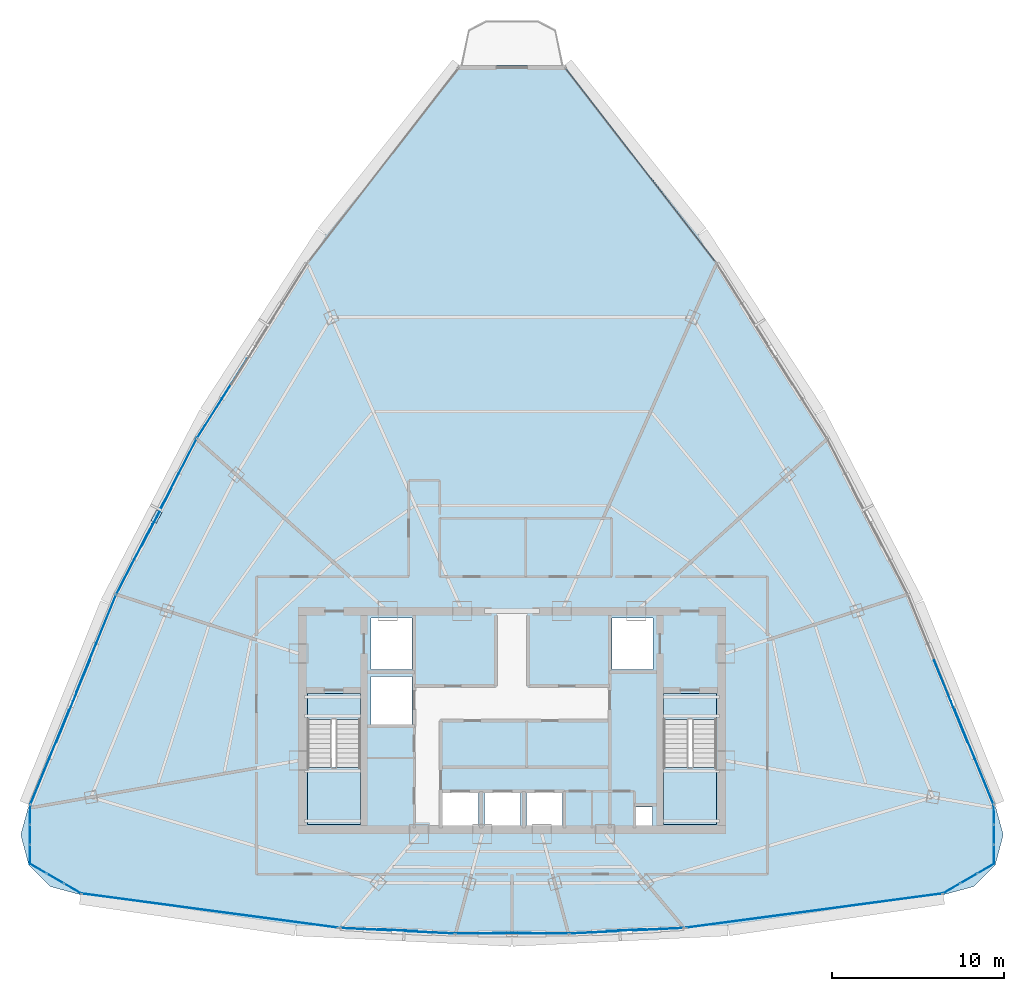
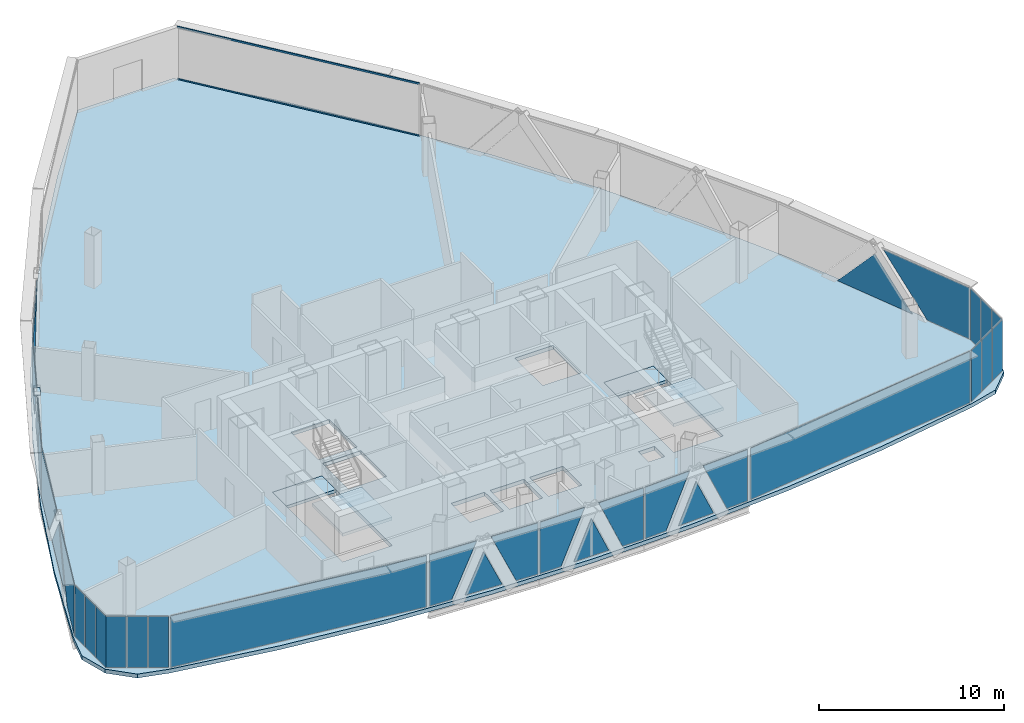
# One storey, part 20 of 26: 33 plates, 5 slabs, 2 members, 16 elements without a shape of their own.
"""IFC4 building model written with IfcOpenShell, lengths in metres."""

from ifc_helpers import new_model, si_unit, direction, frame, origin, origin_2d, place, context, subcontext, project, spatial, polyline, rectangle, hollow_rectangle, outline, extrude, source, transform, mapped, material, layer, layer_set, material_profile, profile_set, type_object, element, aggregate, save


model = new_model("IFC4")

# Units and contexts
model_context = context("Model", 3, precision=1e-05, world=origin(), true_north=direction((0.0, 1.0)))
body_context = subcontext(model_context, "Body", "Model", "MODEL_VIEW")
ifc_project = project(units=[si_unit("LENGTHUNIT", "METRE"), si_unit("AREAUNIT", "SQUARE_METRE"), si_unit("VOLUMEUNIT", "CUBIC_METRE"), si_unit("PLANEANGLEUNIT", "RADIAN"), si_unit("MASSUNIT", "GRAM", prefix="KILO"), si_unit("THERMODYNAMICTEMPERATUREUNIT", "KELVIN"), si_unit("POWERUNIT", "WATT")], contexts=[model_context])

# Site, building, storey
site_placement = place(None, origin())
site = spatial("IfcSite", under=ifc_project, at=site_placement, CompositionType="ELEMENT")
building_placement = place(site_placement, origin())
building = spatial("IfcBuilding", under=site, at=building_placement, Name="Yunzhuo Pagoda Commons", CompositionType="ELEMENT")
storey_placement = place(building_placement, frame((0.0, 0.0, 340.510009765625)))
storey = spatial("IfcBuildingStorey", under=building, at=storey_placement, Name="L85", CompositionType="ELEMENT", Elevation=340.510009765625)

# Curtain wall, members
ifc_material_1 = material(Name="Anodized aluminium 6063-T6", Category="aluminium")
ifc_layer_1 = layer(ifc_material_1, 0.139892578125)
ifc_layer_set_1 = layer_set([ifc_layer_1], Name="Anodized aluminium 6063-T6")
curtain_wall_type_1 = type_object("IfcCurtainWallType", Name="CW-HI High-Zone Ribbon Curtain Wall", PredefinedType="NOTDEFINED", material=ifc_layer_set_1)
curtain_wall_1_placement = place(storey_placement, origin())
curtain_wall_1 = element("IfcCurtainWall", 1, at=curtain_wall_1_placement, inside=storey, type_object=curtain_wall_type_1, Name="L85 curtain wall CW-L85-F2B5", PredefinedType="NOTDEFINED")
ifc_material_profile = material_profile(ifc_material_1, hollow_rectangle(XDim=0.054931640625, YDim=0.1201171875, WallThickness=0.00341796875, at=origin_2d()), Name="Anodized aluminium 6063-T6")
ifc_profile_set = profile_set([ifc_material_profile], Name="Anodized aluminium 6063-T6")
member_type = type_object("IfcMemberType", Name="CW-HI-T Transom RHS 120x55x3.5", PredefinedType="USERDEFINED", material=ifc_profile_set)
shared_shape_1 = source(origin(), body_context, "Body", "SweptSolid", [
    extrude(hollow_rectangle(XDim=0.054931640625, YDim=0.1201171875, WallThickness=0.00341796875, at=origin_2d()), origin(), (0.0, 0.0, 1.0), 14.18017578125),
])
member_1_placement = place(storey_placement, frame((59.8125, 60.52392578125, 0.027587890625), z_axis=(-0.612422141113, 0.790530910892, 0.0), x_axis=(-0.790530910892, -0.612422141113, 0.0)))
member_1 = element("IfcMember", 2, at=member_1_placement, type_object=member_type, Name="CW transom 1.1", ObjectType="TRANSOM", PredefinedType="USERDEFINED", context=body_context, shape_type="MappedRepresentation", body=[
    mapped(shared_shape_1, transform((0.0, 0.0, 0.0), scale=1.0)),
])
member_2_placement = place(storey_placement, frame((59.8125, 60.52392578125, 3.46240234375), z_axis=(-0.612422141113, 0.790530910892, 0.0), x_axis=(-0.790530910892, -0.612422141113, 0.0)))
member_2 = element("IfcMember", 3, at=member_2_placement, type_object=member_type, Name="CW transom 1.2", ObjectType="TRANSOM", PredefinedType="USERDEFINED", context=body_context, shape_type="MappedRepresentation", body=[
    mapped(shared_shape_1, transform((0.0, 0.0, 0.0), scale=1.0)),
])
aggregate(curtain_wall_1, [member_1, member_2])

# Curtain wall, plates
curtain_wall_2_placement = place(storey_placement, origin())
curtain_wall_2 = element("IfcCurtainWall", 4, at=curtain_wall_2_placement, inside=storey, type_object=curtain_wall_type_1, Name="L85 curtain wall CW-L85-F1B2", PredefinedType="NOTDEFINED")
ifc_material_2 = material(Name="Tempered low-e double glazing", Category="glass")
ifc_layer_2 = layer(ifc_material_2, 0.02587890625)
ifc_layer_set_2 = layer_set([ifc_layer_2], Name="Tempered low-e double glazing")
plate_type_1 = type_object("IfcPlateType", Name="CW-HI-P Low-E Double Glazing 26", PredefinedType="CURTAIN_PANEL", material=ifc_layer_set_2)
plate_1_placement = place(storey_placement, frame((39.4892578125, 21.722412109375, 1.744873046875), z_axis=(-0.048905572213, -0.998803406585, 0.0), x_axis=(0.998803406585, -0.048905572213, 0.0)))
plate_1 = element("IfcPlate", 5, at=plate_1_placement, type_object=plate_type_1, Name="CW panel 1.1 lite 1", PredefinedType="CURTAIN_PANEL", context=body_context, shape_type="SweptSolid", body=[
    extrude(outline(polyline([(-1.43115234375, -1.68994140625), (-0.084716796875, -1.68994140625), (1.43115234375, 1.68994140625), (-1.43115234375, 1.68994140625), (-1.43115234375, -1.68994140625)])), origin(), (0.0, 0.0, 1.0), 0.028076171875),
])
plate_2_placement = place(storey_placement, frame((41.36083984375, 21.660888671875, 1.30810546875), z_axis=(-0.048905572213, -0.998803406585, 0.0), x_axis=(0.998803406585, -0.048905572213, 0.0)))
plate_2 = element("IfcPlate", 6, at=plate_2_placement, type_object=plate_type_1, Name="CW panel 1.1 lite 2", PredefinedType="CURTAIN_PANEL", context=body_context, shape_type="SweptSolid", body=[
    extrude(outline(polyline([(-1.1240234375, -1.253173828125), (1.1240234375, -1.253173828125), (0.0, 1.253173828125), (-1.1240234375, -1.253173828125)])), origin(), (0.0, 0.0, 1.0), 0.028076171875),
])
plate_3_placement = place(storey_placement, frame((43.2294921875, 21.539306640625, 1.744873046875), z_axis=(-0.048905572213, -0.998803406585, 0.0), x_axis=(0.998803406585, -0.048905572213, 0.0)))
plate_3 = element("IfcPlate", 7, at=plate_3_placement, type_object=plate_type_1, Name="CW panel 1.1 lite 3", PredefinedType="CURTAIN_PANEL", context=body_context, shape_type="SweptSolid", body=[
    extrude(outline(polyline([(-1.43115234375, 1.68994140625), (0.084716796875, -1.68994140625), (1.43115234375, -1.68994140625), (1.43115234375, 1.68994140625), (-1.43115234375, 1.68994140625)])), origin(), (0.0, 0.0, 1.0), 0.028076171875),
])
aggregate(curtain_wall_2, [plate_1, plate_2, plate_3])

curtain_wall_3_placement = place(storey_placement, origin())
curtain_wall_3 = element("IfcCurtainWall", 8, at=curtain_wall_3_placement, inside=storey, type_object=curtain_wall_type_1, Name="L85 curtain wall CW-L85-F1B3", PredefinedType="NOTDEFINED")
plate_4_placement = place(storey_placement, frame((46.169677734375, 21.46630859375, 1.744873046875), z_axis=(0.0, -1.0, 0.0), x_axis=(1.0, 0.0, 0.0)))
plate_4 = element("IfcPlate", 9, at=plate_4_placement, type_object=plate_type_1, Name="CW panel 1.1 lite 1", PredefinedType="CURTAIN_PANEL", context=body_context, shape_type="SweptSolid", body=[
    extrude(outline(polyline([(-1.391357421875, -1.68994140625), (-0.087646484375, -1.68994140625), (1.391357421875, 1.68994140625), (-1.391357421875, 1.68994140625), (-1.391357421875, -1.68994140625)])), origin(), (0.0, 0.0, 1.0), 0.028076171875),
])
plate_5_placement = place(storey_placement, frame((48.0, 21.49658203125, 1.298583984375), z_axis=(0.0, -1.0, 0.0), x_axis=(1.0, 0.0, 0.0)))
plate_5 = element("IfcPlate", 10, at=plate_5_placement, type_object=plate_type_1, Name="CW panel 1.1 lite 2", PredefinedType="CURTAIN_PANEL", context=body_context, shape_type="SweptSolid", body=[
    extrude(outline(polyline([(-1.08837890625, -1.243408203125), (1.08837890625, -1.243408203125), (0.0, 1.24365234375), (-1.08837890625, -1.243408203125)])), origin(), (0.0, 0.0, 1.0), 0.028076171875),
])
plate_6_placement = place(storey_placement, frame((49.830322265625, 21.46630859375, 1.744873046875), z_axis=(0.0, -1.0, 0.0), x_axis=(1.0, 0.0, 0.0)))
plate_6 = element("IfcPlate", 11, at=plate_6_placement, type_object=plate_type_1, Name="CW panel 1.1 lite 3", PredefinedType="CURTAIN_PANEL", context=body_context, shape_type="SweptSolid", body=[
    extrude(outline(polyline([(-1.391357421875, 1.68994140625), (0.087646484375, -1.68994140625), (1.391357421875, -1.68994140625), (1.391357421875, 1.68994140625), (-1.391357421875, 1.68994140625)])), origin(), (0.0, 0.0, 1.0), 0.028076171875),
])
aggregate(curtain_wall_3, [plate_4, plate_5, plate_6])

curtain_wall_4_placement = place(storey_placement, origin())
curtain_wall_4 = element("IfcCurtainWall", 12, at=curtain_wall_4_placement, inside=storey, type_object=curtain_wall_type_1, Name="L85 curtain wall CW-L85-F1B4", PredefinedType="NOTDEFINED")
plate_7_placement = place(storey_placement, frame((52.7705078125, 21.539306640625, 1.744873046875), z_axis=(0.048905572213, -0.998803406585, 0.0), x_axis=(0.998803406585, 0.048905572213, 0.0)))
plate_7 = element("IfcPlate", 13, at=plate_7_placement, type_object=plate_type_1, Name="CW panel 1.1 lite 1", PredefinedType="CURTAIN_PANEL", context=body_context, shape_type="SweptSolid", body=[
    extrude(outline(polyline([(-1.43115234375, -1.68994140625), (-0.084716796875, -1.68994140625), (1.43115234375, 1.68994140625), (-1.43115234375, 1.68994140625), (-1.43115234375, -1.68994140625)])), origin(), (0.0, 0.0, 1.0), 0.028076171875),
])
plate_8_placement = place(storey_placement, frame((54.63916015625, 21.660888671875, 1.30810546875), z_axis=(0.048905572213, -0.998803406585, 0.0), x_axis=(0.998803406585, 0.048905572213, 0.0)))
plate_8 = element("IfcPlate", 14, at=plate_8_placement, type_object=plate_type_1, Name="CW panel 1.1 lite 2", PredefinedType="CURTAIN_PANEL", context=body_context, shape_type="SweptSolid", body=[
    extrude(outline(polyline([(-1.1240234375, -1.253173828125), (1.1240234375, -1.253173828125), (0.0, 1.253173828125), (-1.1240234375, -1.253173828125)])), origin(), (0.0, 0.0, 1.0), 0.028076171875),
])
plate_9_placement = place(storey_placement, frame((56.5107421875, 21.722412109375, 1.744873046875), z_axis=(0.048905572213, -0.998803406585, 0.0), x_axis=(0.998803406585, 0.048905572213, 0.0)))
plate_9 = element("IfcPlate", 15, at=plate_9_placement, type_object=plate_type_1, Name="CW panel 1.1 lite 3", PredefinedType="CURTAIN_PANEL", context=body_context, shape_type="SweptSolid", body=[
    extrude(outline(polyline([(-1.43115234375, 1.68994140625), (0.084716796875, -1.68994140625), (1.43115234375, -1.68994140625), (1.43115234375, 1.68994140625), (-1.43115234375, 1.68994140625)])), origin(), (0.0, 0.0, 1.0), 0.028076171875),
])
aggregate(curtain_wall_4, [plate_7, plate_8, plate_9])

curtain_wall_5_placement = place(storey_placement, origin())
curtain_wall_5 = element("IfcCurtainWall", 16, at=curtain_wall_5_placement, inside=storey, type_object=curtain_wall_type_1, Name="L85 curtain wall CW-L85-F2B2", PredefinedType="NOTDEFINED")
plate_10_placement = place(storey_placement, frame((74.85107421875, 31.71728515625, 1.744873046875), z_axis=(0.925729863061, 0.37818543155, 0.0), x_axis=(-0.37818543155, 0.925729863061, 0.0)))
plate_10 = element("IfcPlate", 17, at=plate_10_placement, type_object=plate_type_1, Name="CW panel 1.1 lite 1", PredefinedType="CURTAIN_PANEL", context=body_context, shape_type="SweptSolid", body=[
    extrude(outline(polyline([(-2.951416015625, -1.68994140625), (-0.068115234375, -1.68994140625), (2.951171875, 1.68994140625), (-2.951416015625, 1.68994140625), (-2.951416015625, -1.68994140625)])), origin(), (0.0, 0.0, 1.0), 0.028076171875),
])
plate_11_placement = place(storey_placement, frame((73.495849609375, 34.955078125, 1.4873046875), z_axis=(0.925729863061, 0.37818543155, 0.0), x_axis=(-0.37818543155, 0.925729863061, 0.0)))
plate_11 = element("IfcPlate", 18, at=plate_11_placement, type_object=plate_type_1, Name="CW panel 1.1 lite 2", PredefinedType="CURTAIN_PANEL", context=body_context, shape_type="SweptSolid", body=[
    extrude(outline(polyline([(-2.55908203125, -1.432373046875), (2.55908203125, -1.432373046875), (0.0, 1.432373046875), (-2.55908203125, -1.432373046875)])), origin(), (0.0, 0.0, 1.0), 0.028076171875),
])
aggregate(curtain_wall_5, [plate_10, plate_11])

# Curtain wall, plate
curtain_wall_6_placement = place(storey_placement, origin())
curtain_wall_6 = element("IfcCurtainWall", 19, at=curtain_wall_6_placement, inside=storey, type_object=curtain_wall_type_1, Name="L85 curtain wall CW-L85-F3B2", PredefinedType="NOTDEFINED")
plate_12_placement = place(storey_placement, frame((31.16162109375, 52.55322265625, 1.744873046875), z_axis=(-0.845817518552, 0.533472328532, 0.0), x_axis=(-0.533472328532, -0.845817518552, 0.0)))
plate_12 = element("IfcPlate", 20, at=plate_12_placement, type_object=plate_type_1, Name="CW panel 1.1 lite 3", PredefinedType="CURTAIN_PANEL", context=body_context, shape_type="SweptSolid", body=[
    extrude(outline(polyline([(-2.721435546875, 1.68994140625), (-0.001708984375, -1.68994140625), (2.721435546875, -1.68994140625), (2.721435546875, 1.68994140625), (-2.721435546875, 1.68994140625)])), origin(), (0.0, 0.0, 1.0), 0.028076171875),
])
aggregate(curtain_wall_6, [plate_12])

# Curtain wall, plates
curtain_wall_7_placement = place(storey_placement, origin())
curtain_wall_7 = element("IfcCurtainWall", 21, at=curtain_wall_7_placement, inside=storey, type_object=curtain_wall_type_1, Name="L85 curtain wall CW-L85-F3B3", PredefinedType="NOTDEFINED")
plate_13_placement = place(storey_placement, frame((28.611328125, 48.136962890625, 1.744873046875), z_axis=(-0.888380452968, 0.459108016467, 0.0), x_axis=(-0.459108016467, -0.888380452968, 0.0)))
plate_13 = element("IfcPlate", 22, at=plate_13_placement, type_object=plate_type_1, Name="CW panel 1.1 lite 1", PredefinedType="CURTAIN_PANEL", context=body_context, shape_type="SweptSolid", body=[
    extrude(outline(polyline([(-2.263916015625, -1.68994140625), (-0.02734375, -1.68994140625), (2.26416015625, 1.68994140625), (-2.263916015625, 1.68994140625), (-2.263916015625, -1.68994140625)])), origin(), (0.0, 0.0, 1.0), 0.028076171875),
])
plate_14_placement = place(storey_placement, frame((27.37060546875, 45.6708984375, 1.433837890625), z_axis=(-0.888380452968, 0.459108016467, 0.0), x_axis=(-0.459108016467, -0.888380452968, 0.0)))
plate_14 = element("IfcPlate", 23, at=plate_14_placement, type_object=plate_type_1, Name="CW panel 1.1 lite 2", PredefinedType="CURTAIN_PANEL", context=body_context, shape_type="SweptSolid", body=[
    extrude(outline(polyline([(-1.86962890625, -1.37890625), (1.86962890625, -1.37890625), (0.0, 1.37890625), (-1.86962890625, -1.37890625)])), origin(), (0.0, 0.0, 1.0), 0.028076171875),
])
plate_15_placement = place(storey_placement, frame((26.07666015625, 43.232421875, 1.744873046875), z_axis=(-0.888380452968, 0.459108016467, 0.0), x_axis=(-0.459108016467, -0.888380452968, 0.0)))
plate_15 = element("IfcPlate", 24, at=plate_15_placement, type_object=plate_type_1, Name="CW panel 1.1 lite 3", PredefinedType="CURTAIN_PANEL", context=body_context, shape_type="SweptSolid", body=[
    extrude(outline(polyline([(-2.26416015625, 1.68994140625), (0.02734375, -1.68994140625), (2.263916015625, -1.68994140625), (2.263916015625, 1.68994140625), (-2.26416015625, 1.68994140625)])), origin(), (0.0, 0.0, 1.0), 0.028076171875),
])
aggregate(curtain_wall_7, [plate_13, plate_14, plate_15])

curtain_wall_8_placement = place(storey_placement, origin())
curtain_wall_8 = element("IfcCurtainWall", 25, at=curtain_wall_8_placement, inside=storey, type_object=curtain_wall_type_1, Name="L85 curtain wall CW-L85-F3B4", PredefinedType="NOTDEFINED")
plate_16_placement = place(storey_placement, frame((23.83740234375, 38.29833984375, 1.744873046875), z_axis=(-0.925729863061, 0.37818543155, 0.0), x_axis=(-0.37818543155, -0.925729863061, 0.0)))
plate_16 = element("IfcPlate", 26, at=plate_16_placement, type_object=plate_type_1, Name="CW panel 1.1 lite 1", PredefinedType="CURTAIN_PANEL", context=body_context, shape_type="SweptSolid", body=[
    extrude(outline(polyline([(-3.04052734375, -1.68994140625), (0.021240234375, -1.68994140625), (3.04052734375, 1.68994140625), (-3.04052734375, 1.68994140625), (-3.04052734375, -1.68994140625)])), origin(), (0.0, 0.0, 1.0), 0.028076171875),
])
plate_17_placement = place(storey_placement, frame((22.504150390625, 34.955078125, 1.4873046875), z_axis=(-0.925729863061, 0.37818543155, 0.0), x_axis=(-0.37818543155, -0.925729863061, 0.0)))
plate_17 = element("IfcPlate", 27, at=plate_17_placement, type_object=plate_type_1, Name="CW panel 1.1 lite 2", PredefinedType="CURTAIN_PANEL", context=body_context, shape_type="SweptSolid", body=[
    extrude(outline(polyline([(-2.55908203125, -1.432373046875), (2.55908203125, -1.432373046875), (0.0, 1.432373046875), (-2.55908203125, -1.432373046875)])), origin(), (0.0, 0.0, 1.0), 0.028076171875),
])
plate_18_placement = place(storey_placement, frame((21.14892578125, 31.71728515625, 1.744873046875), z_axis=(-0.925729863061, 0.37818543155, 0.0), x_axis=(-0.37818543155, -0.925729863061, 0.0)))
plate_18 = element("IfcPlate", 28, at=plate_18_placement, type_object=plate_type_1, Name="CW panel 1.1 lite 3", PredefinedType="CURTAIN_PANEL", context=body_context, shape_type="SweptSolid", body=[
    extrude(outline(polyline([(-2.951171875, 1.68994140625), (0.068115234375, -1.68994140625), (2.951416015625, -1.68994140625), (2.951416015625, 1.68994140625), (-2.951171875, 1.68994140625)])), origin(), (0.0, 0.0, 1.0), 0.028076171875),
])
aggregate(curtain_wall_8, [plate_16, plate_17, plate_18])

# Stair, slabs
ifc_material_3 = material(Name="Concrete C40", Category="concrete")
stair_type_1 = type_object("IfcStairType", Name="ST-C1 Core Smokeproof Stair ST1", PredefinedType="HALF_TURN_STAIR", material=ifc_material_3)
stair_1_placement = place(storey_placement, origin())
stair_1 = element("IfcStair", 29, at=stair_1_placement, inside=storey, type_object=stair_type_1, Name="L85 Core smokeproof stair ST1", PredefinedType="HALF_TURN_STAIR")
ifc_layer_3 = layer(ifc_material_3, 0.199951171875)
ifc_layer_set_3 = layer_set([ifc_layer_3], Name="Concrete C40")
slab_type_1 = type_object("IfcSlabType", Name="SL-LND1 Stair Landing Slab 200", PredefinedType="LANDING", material=ifc_layer_set_3)
slab_1_placement = place(storey_placement, frame((0.0, 0.0, 1.675048828125)))
slab_1 = element("IfcSlab", 30, at=slab_1_placement, type_object=slab_type_1, Name="ST1 landing 1", PredefinedType="LANDING", context=body_context, shape_type="SweptSolid", body=[
    extrude(outline(polyline([(36.10009765625, 31.10009765625), (36.10009765625, 27.800048828125), (39.199951171875, 27.800048828125), (39.199951171875, 31.10009765625), (36.10009765625, 31.10009765625)])), origin(), (0.0, 0.0, 1.0), 0.199951171875),
])
slab_2_placement = place(storey_placement, frame((0.0, 0.0, -0.199951171875)))
slab_2 = element("IfcSlab", 31, at=slab_2_placement, type_object=slab_type_1, Name="ST1 floor landing L85", PredefinedType="LANDING", context=body_context, shape_type="SweptSolid", body=[
    extrude(outline(polyline([(36.10009765625, 35.39990234375), (36.10009765625, 33.89990234375), (39.199951171875, 33.89990234375), (39.199951171875, 35.39990234375), (36.10009765625, 35.39990234375)])), origin(), (0.0, 0.0, 1.0), 0.199951171875),
])
aggregate(stair_1, [slab_1, slab_2])

stair_type_2 = type_object("IfcStairType", Name="ST-C2 Core Smokeproof Stair ST2", PredefinedType="HALF_TURN_STAIR", material=ifc_material_3)
stair_2_placement = place(storey_placement, origin())
stair_2 = element("IfcStair", 32, at=stair_2_placement, inside=storey, type_object=stair_type_2, Name="L85 Core smokeproof stair ST2", PredefinedType="HALF_TURN_STAIR")
ifc_layer_4 = layer(ifc_material_3, 0.201904296875)
ifc_layer_set_4 = layer_set([ifc_layer_4], Name="Concrete C40")
slab_type_2 = type_object("IfcSlabType", Name="SL-LND2 Stair Landing Slab 202", PredefinedType="LANDING", material=ifc_layer_set_4)
slab_3_placement = place(storey_placement, frame((0.0, 0.0, 1.675048828125)))
slab_3 = element("IfcSlab", 33, at=slab_3_placement, type_object=slab_type_2, Name="ST2 landing 1", PredefinedType="LANDING", context=body_context, shape_type="SweptSolid", body=[
    extrude(outline(polyline([(56.800048828125, 31.10009765625), (56.800048828125, 27.800048828125), (59.89990234375, 27.800048828125), (59.89990234375, 31.10009765625), (56.800048828125, 31.10009765625)])), origin(), (0.0, 0.0, 1.0), 0.199951171875),
])
slab_4_placement = place(storey_placement, frame((0.0, 0.0, -0.199951171875)))
slab_4 = element("IfcSlab", 34, at=slab_4_placement, type_object=slab_type_2, Name="ST2 floor landing L85", PredefinedType="LANDING", context=body_context, shape_type="SweptSolid", body=[
    extrude(outline(polyline([(56.800048828125, 35.39990234375), (56.800048828125, 33.89990234375), (59.89990234375, 33.89990234375), (59.89990234375, 35.39990234375), (56.800048828125, 35.39990234375)])), origin(), (0.0, 0.0, 1.0), 0.199951171875),
])
aggregate(stair_2, [slab_3, slab_4])

# Slab
ifc_layer_5 = layer(ifc_material_3, 0.260009765625)
ifc_layer_set_5 = layer_set([ifc_layer_5], Name="Concrete C40")
slab_type_3 = type_object("IfcSlabType", Name="SL-TWR Typical Tower Floor Slab 260", PredefinedType="FLOOR", material=ifc_layer_set_5)
slab_5_placement = place(storey_placement, frame((0.0, 0.0, -0.260009765625)))
element("IfcSlab", 35, at=slab_5_placement, inside=storey, type_object=slab_type_3, Name="L85 structural floor slab", PredefinedType="FLOOR", context=body_context, shape_type="SweptSolid", body=[
    extrude(outline(polyline([(22.13037109375, 34.845703125), (24.607421875, 40.602294921875), (27.347900390625, 46.205078125), (30.351806640625, 51.654052734375), (33.619384765625, 56.94921875), (37.150634765625, 62.09033203125), (40.9453125, 67.07763671875), (45.003662109375, 71.9111328125), (50.996337890625, 71.9111328125), (55.0546875, 67.07763671875), (58.849365234375, 62.09033203125), (62.380615234375, 56.94921875), (65.648193359375, 51.654052734375), (68.652099609375, 46.205078125), (71.392578125, 40.602294921875), (73.86962890625, 34.845703125), (76.0830078125, 28.935302734375), (76.555908203125, 27.19873046875), (76.09521484375, 25.458740234375), (74.82470703125, 24.18359375), (73.08642578125, 23.716796875), (66.81494140625, 22.648681640625), (60.543212890625, 21.8857421875), (54.271484375, 21.427978515625), (48.0, 21.275390625), (41.728515625, 21.427978515625), (35.456787109375, 21.8857421875), (29.18505859375, 22.648681640625), (22.91357421875, 23.716796875), (21.17529296875, 24.18359375), (19.90478515625, 25.458740234375), (19.444091796875, 27.19873046875), (19.9169921875, 28.935302734375), (22.13037109375, 34.845703125)]), holes=[polyline([(56.179931640625, 28.800048828125), (55.179931640625, 28.800048828125), (55.179931640625, 27.699951171875), (56.179931640625, 27.699951171875), (56.179931640625, 28.800048828125)]), polyline([(46.050048828125, 29.64990234375), (43.949951171875, 29.64990234375), (43.949951171875, 27.60009765625), (46.050048828125, 27.60009765625), (46.050048828125, 29.64990234375)]), polyline([(48.5, 29.64990234375), (46.39990234375, 29.64990234375), (46.39990234375, 27.60009765625), (48.5, 27.60009765625), (48.5, 29.64990234375)]), polyline([(50.949951171875, 29.64990234375), (48.85009765625, 29.64990234375), (48.85009765625, 27.60009765625), (50.949951171875, 27.60009765625), (50.949951171875, 29.64990234375)]), polyline([(39.199951171875, 27.800048828125), (39.199951171875, 35.39990234375), (36.10009765625, 35.39990234375), (36.10009765625, 27.800048828125), (39.199951171875, 27.800048828125)]), polyline([(59.89990234375, 27.800048828125), (59.89990234375, 35.39990234375), (56.800048828125, 35.39990234375), (56.800048828125, 27.800048828125), (59.89990234375, 27.800048828125)]), polyline([(42.199951171875, 36.39990234375), (39.800048828125, 36.39990234375), (39.800048828125, 33.60009765625), (42.199951171875, 33.60009765625), (42.199951171875, 36.39990234375)]), polyline([(42.199951171875, 36.800048828125), (42.199951171875, 39.800048828125), (39.800048828125, 39.800048828125), (39.800048828125, 36.800048828125), (42.199951171875, 36.800048828125)]), polyline([(56.199951171875, 36.800048828125), (56.199951171875, 39.800048828125), (53.800048828125, 39.800048828125), (53.800048828125, 36.800048828125), (56.199951171875, 36.800048828125)])]), origin(), (0.0, 0.0, 1.0), 0.260009765625),
])

# Plate
ifc_material_4 = material(Name="Structural steel Q355B", Category="steel")
ifc_layer_6 = layer(ifc_material_4, 0.028076171875)
ifc_layer_set_6 = layer_set([ifc_layer_6], Name="Structural steel Q355B")
plate_type_2 = type_object("IfcPlateType", Name="SP-ND1 Lattice Node Cap Plate 800x500x28", PredefinedType="USERDEFINED", material=ifc_layer_set_6)
shared_shape_2 = source(origin(), body_context, "Body", "SweptSolid", [
    extrude(rectangle(XDim=0.699951171875, YDim=0.35009765625, at=origin_2d()), origin(), (0.0, 0.0, 1.0), 0.035888671875),
])
plate_19_placement = place(storey_placement, frame((27.33154296875, 45.691162109375, 3.4521484375), z_axis=(0.0, 0.0, 1.0), x_axis=(-0.459114770487, -0.888376962511, 0.0)))
element("IfcPlate", 36, at=plate_19_placement, inside=storey, type_object=plate_type_2, Name="L85 setback lattice tie plate F3.2L", ObjectType="STIFFENER_PLATE", PredefinedType="USERDEFINED", context=body_context, shape_type="MappedRepresentation", body=[
    mapped(shared_shape_2, transform((0.0, 0.0, 0.0), scale=1.0)),
])

# Curtain wall, plate
curtain_wall_9_placement = place(storey_placement, origin())
curtain_wall_9 = element("IfcCurtainWall", 37, at=curtain_wall_9_placement, inside=storey, type_object=curtain_wall_type_1, Name="L85 curtain wall CW-L85-F1B1", PredefinedType="NOTDEFINED")
shared_shape_3 = source(origin(), body_context, "Body", "SweptSolid", [
    extrude(rectangle(XDim=14.9833984375, YDim=0.028076171875, at=origin_2d()), origin(), (0.0, 0.0, 1.0), 3.3798828125),
])
plate_20_placement = place(storey_placement, frame((30.439208984375, 22.78857421875, 0.054931640625), z_axis=(0.0, 0.0, 1.0), x_axis=(0.991240559845, -0.132068741636, 0.0)))
plate_20 = element("IfcPlate", 38, at=plate_20_placement, type_object=plate_type_1, Name="CW panel 1.1", PredefinedType="CURTAIN_PANEL", context=body_context, shape_type="MappedRepresentation", body=[
    mapped(shared_shape_3, transform((0.0, 0.0, 0.0), scale=1.0)),
])
aggregate(curtain_wall_9, [plate_20])

curtain_wall_10_placement = place(storey_placement, origin())
curtain_wall_10 = element("IfcCurtainWall", 39, at=curtain_wall_10_placement, inside=storey, type_object=curtain_wall_type_1, Name="L85 curtain wall CW-L85-F1B5", PredefinedType="NOTDEFINED")
plate_21_placement = place(storey_placement, frame((65.560791015625, 22.78857421875, 0.054931640625), z_axis=(0.0, 0.0, 1.0), x_axis=(0.991240559845, 0.132068741636, 0.0)))
plate_21 = element("IfcPlate", 40, at=plate_21_placement, type_object=plate_type_1, Name="CW panel 1.1", PredefinedType="CURTAIN_PANEL", context=body_context, shape_type="MappedRepresentation", body=[
    mapped(shared_shape_3, transform((0.0, 0.0, 0.0), scale=1.0)),
])
aggregate(curtain_wall_10, [plate_21])

# Curtain wall, plates
ifc_layer_7 = layer(ifc_material_1, 0.1298828125)
ifc_layer_set_7 = layer_set([ifc_layer_7], Name="Anodized aluminium 6063-T6")
curtain_wall_type_2 = type_object("IfcCurtainWallType", Name="CW-VTX Rounded Corner Curtain Wall", PredefinedType="NOTDEFINED", material=ifc_layer_set_7)
curtain_wall_11_placement = place(storey_placement, origin())
curtain_wall_11 = element("IfcCurtainWall", 41, at=curtain_wall_11_placement, inside=storey, type_object=curtain_wall_type_2, Name="L85 curtain wall CW-L85-VTX1S1", PredefinedType="NOTDEFINED")
ifc_layer_8 = layer(ifc_material_2, 0.02587890625)
ifc_layer_set_8 = layer_set([ifc_layer_8], Name="Tempered low-e double glazing")
plate_type_3 = type_object("IfcPlateType", Name="CW-VTX-P Low-E Double Glazing 26", PredefinedType="CURTAIN_PANEL", material=ifc_layer_set_8)
shared_shape_4 = source(origin(), body_context, "Body", "SweptSolid", [
    extrude(rectangle(XDim=1.076416015625, YDim=0.028076171875, at=origin_2d()), origin(), (0.0, 0.0, 1.0), 3.3798828125),
])
plate_22_placement = place(storey_placement, frame((19.994873046875, 28.341796875, 0.054931640625), z_axis=(0.0, 0.0, 1.0), x_axis=(-0.003566680416, -0.999993639375, 0.0)))
plate_22 = element("IfcPlate", 42, at=plate_22_placement, type_object=plate_type_3, Name="CW panel 1.1", PredefinedType="CURTAIN_PANEL", context=body_context, shape_type="MappedRepresentation", body=[
    mapped(shared_shape_4, transform((0.0, 0.0, 0.0), scale=1.0)),
])
plate_23_placement = place(storey_placement, frame((19.98681640625, 26.051513671875, 0.054931640625), z_axis=(0.0, 0.0, 1.0), x_axis=(-0.003566680416, -0.999993639375, 0.0)))
plate_23 = element("IfcPlate", 43, at=plate_23_placement, type_object=plate_type_3, Name="CW panel 3.1", PredefinedType="CURTAIN_PANEL", context=body_context, shape_type="MappedRepresentation", body=[
    mapped(shared_shape_4, transform((0.0, 0.0, 0.0), scale=1.0)),
])

curtain_wall_12_placement = place(storey_placement, origin())
curtain_wall_12 = element("IfcCurtainWall", 44, at=curtain_wall_12_placement, inside=storey, type_object=curtain_wall_type_2, Name="L85 curtain wall CW-L85-VTX1S2", PredefinedType="NOTDEFINED")
plate_24_placement = place(storey_placement, frame((20.458251953125, 25.230712890625, 0.054931640625), z_axis=(0.0, 0.0, 1.0), x_axis=(0.865430880416, -0.501028333753, 0.0)))
plate_24 = element("IfcPlate", 45, at=plate_24_placement, type_object=plate_type_3, Name="CW panel 1.1", PredefinedType="CURTAIN_PANEL", context=body_context, shape_type="MappedRepresentation", body=[
    mapped(shared_shape_4, transform((0.0, 0.0, 0.0), scale=1.0)),
])
plate_25_placement = place(storey_placement, frame((22.440185546875, 24.083251953125, 0.054931640625), z_axis=(0.0, 0.0, 1.0), x_axis=(0.865430880416, -0.501028333753, 0.0)))
plate_25 = element("IfcPlate", 46, at=plate_25_placement, type_object=plate_type_3, Name="CW panel 3.1", PredefinedType="CURTAIN_PANEL", context=body_context, shape_type="MappedRepresentation", body=[
    mapped(shared_shape_4, transform((0.0, 0.0, 0.0), scale=1.0)),
])

curtain_wall_13_placement = place(storey_placement, origin())
curtain_wall_13 = element("IfcCurtainWall", 47, at=curtain_wall_13_placement, inside=storey, type_object=curtain_wall_type_2, Name="L85 curtain wall CW-L85-VTX2S1", PredefinedType="NOTDEFINED")
plate_26_placement = place(storey_placement, frame((73.559814453125, 24.083251953125, 0.054931640625), z_axis=(0.0, 0.0, 1.0), x_axis=(0.865430880416, 0.501028333753, 0.0)))
plate_26 = element("IfcPlate", 48, at=plate_26_placement, type_object=plate_type_3, Name="CW panel 1.1", PredefinedType="CURTAIN_PANEL", context=body_context, shape_type="MappedRepresentation", body=[
    mapped(shared_shape_4, transform((0.0, 0.0, 0.0), scale=1.0)),
])
plate_27_placement = place(storey_placement, frame((75.541748046875, 25.230712890625, 0.054931640625), z_axis=(0.0, 0.0, 1.0), x_axis=(0.865430880416, 0.501028333753, 0.0)))
plate_27 = element("IfcPlate", 49, at=plate_27_placement, type_object=plate_type_3, Name="CW panel 3.1", PredefinedType="CURTAIN_PANEL", context=body_context, shape_type="MappedRepresentation", body=[
    mapped(shared_shape_4, transform((0.0, 0.0, 0.0), scale=1.0)),
])

curtain_wall_14_placement = place(storey_placement, origin())
curtain_wall_14 = element("IfcCurtainWall", 50, at=curtain_wall_14_placement, inside=storey, type_object=curtain_wall_type_2, Name="L85 curtain wall CW-L85-VTX2S2", PredefinedType="NOTDEFINED")
plate_28_placement = place(storey_placement, frame((76.01318359375, 26.051513671875, 0.054931640625), z_axis=(0.0, 0.0, 1.0), x_axis=(-0.003566680416, 0.999993639375, 0.0)))
plate_28 = element("IfcPlate", 51, at=plate_28_placement, type_object=plate_type_3, Name="CW panel 1.1", PredefinedType="CURTAIN_PANEL", context=body_context, shape_type="MappedRepresentation", body=[
    mapped(shared_shape_4, transform((0.0, 0.0, 0.0), scale=1.0)),
])
plate_29_placement = place(storey_placement, frame((76.005126953125, 28.341796875, 0.054931640625), z_axis=(0.0, 0.0, 1.0), x_axis=(-0.003566680416, 0.999993639375, 0.0)))
plate_29 = element("IfcPlate", 52, at=plate_29_placement, type_object=plate_type_3, Name="CW panel 3.1", PredefinedType="CURTAIN_PANEL", context=body_context, shape_type="MappedRepresentation", body=[
    mapped(shared_shape_4, transform((0.0, 0.0, 0.0), scale=1.0)),
])

# Plate
shared_shape_5 = source(origin(), body_context, "Body", "SweptSolid", [
    extrude(rectangle(XDim=1.103759765625, YDim=0.028076171875, at=origin_2d()), origin(), (0.0, 0.0, 1.0), 3.3798828125),
])
plate_30_placement = place(storey_placement, frame((19.990966796875, 27.19677734375, 0.054931640625), z_axis=(0.0, 0.0, 1.0), x_axis=(-0.003566680416, -0.999993639375, 0.0)))
plate_30 = element("IfcPlate", 53, at=plate_30_placement, type_object=plate_type_3, Name="CW panel 2.1", PredefinedType="CURTAIN_PANEL", context=body_context, shape_type="MappedRepresentation", body=[
    mapped(shared_shape_5, transform((0.0, 0.0, 0.0), scale=1.0)),
])

aggregate(curtain_wall_11, [plate_22, plate_30, plate_23])

plate_31_placement = place(storey_placement, frame((76.009033203125, 27.19677734375, 0.054931640625), z_axis=(0.0, 0.0, 1.0), x_axis=(-0.003566680416, 0.999993639375, 0.0)))
plate_31 = element("IfcPlate", 54, at=plate_31_placement, type_object=plate_type_3, Name="CW panel 2.1", PredefinedType="CURTAIN_PANEL", context=body_context, shape_type="MappedRepresentation", body=[
    mapped(shared_shape_5, transform((0.0, 0.0, 0.0), scale=1.0)),
])

aggregate(curtain_wall_14, [plate_28, plate_31, plate_29])

shared_shape_6 = source(origin(), body_context, "Body", "SweptSolid", [
    extrude(rectangle(XDim=1.10400390625, YDim=0.028076171875, at=origin_2d()), origin(), (0.0, 0.0, 1.0), 3.3798828125),
])
plate_32_placement = place(storey_placement, frame((21.44921875, 24.656982421875, 0.054931640625), z_axis=(0.0, 0.0, 1.0), x_axis=(0.865430880416, -0.501028333753, 0.0)))
plate_32 = element("IfcPlate", 55, at=plate_32_placement, type_object=plate_type_3, Name="CW panel 2.1", PredefinedType="CURTAIN_PANEL", context=body_context, shape_type="MappedRepresentation", body=[
    mapped(shared_shape_6, transform((0.0, 0.0, 0.0), scale=1.0)),
])

aggregate(curtain_wall_12, [plate_24, plate_32, plate_25])

plate_33_placement = place(storey_placement, frame((74.55078125, 24.656982421875, 0.054931640625), z_axis=(0.0, 0.0, 1.0), x_axis=(0.865430880416, 0.501028333753, 0.0)))
plate_33 = element("IfcPlate", 56, at=plate_33_placement, type_object=plate_type_3, Name="CW panel 2.1", PredefinedType="CURTAIN_PANEL", context=body_context, shape_type="MappedRepresentation", body=[
    mapped(shared_shape_6, transform((0.0, 0.0, 0.0), scale=1.0)),
])

aggregate(curtain_wall_13, [plate_26, plate_33, plate_27])

save(model, "model.ifc")
